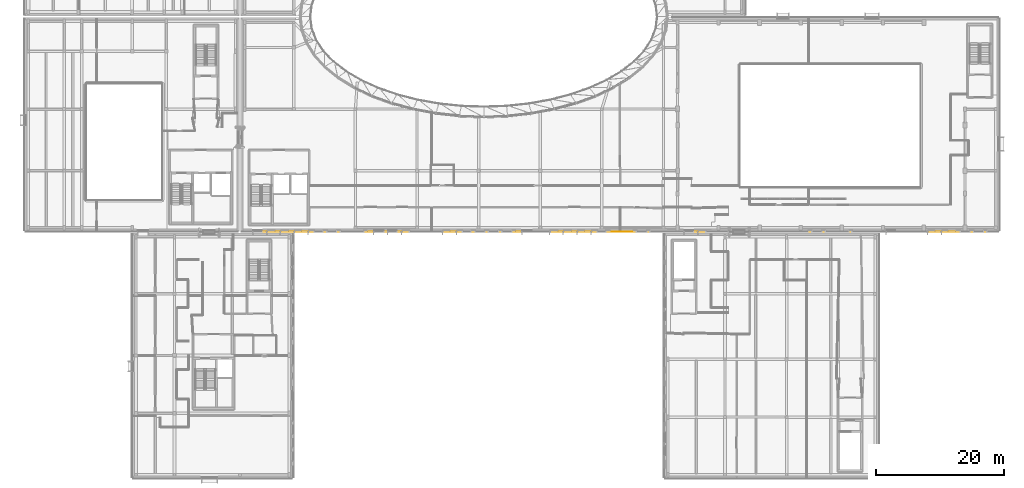
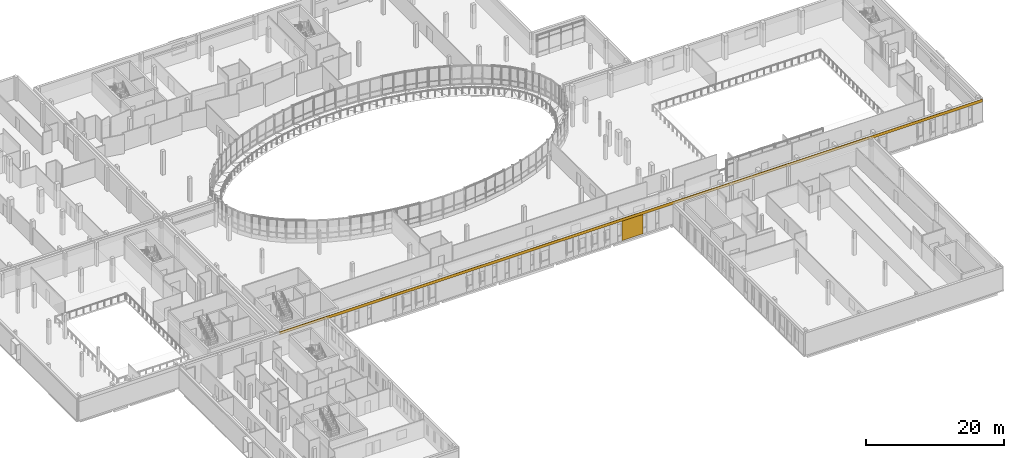
# One storey, part 70 of 84: 2 coverings.
"""IFC4 building model written with IfcOpenShell, lengths in metres."""

from ifc_helpers import new_model, si_unit, direction, frame, origin, origin_2d, place, context, subcontext, project, spatial, rectangle, extrude, material, layer, layer_set, type_object, element, save


model = new_model("IFC4")

# Units and contexts
model_context = context("Model", 3, precision=1e-05, world=origin(), true_north=direction((0.0, 1.0)))
body_context = subcontext(model_context, "Body", "Model", "MODEL_VIEW")
ifc_project = project(units=[si_unit("LENGTHUNIT", "METRE"), si_unit("AREAUNIT", "SQUARE_METRE"), si_unit("VOLUMEUNIT", "CUBIC_METRE"), si_unit("PLANEANGLEUNIT", "RADIAN"), si_unit("MASSUNIT", "GRAM", prefix="KILO")], contexts=[model_context])

# Site, building, storey
site_placement = place(None, origin())
site = spatial("IfcSite", under=ifc_project, at=site_placement, CompositionType="ELEMENT")
building_placement = place(site_placement, origin())
building = spatial("IfcBuilding", under=site, at=building_placement, Name="Mzevani Central Library", CompositionType="ELEMENT")
storey_placement = place(building_placement, frame((0.0, 0.0, 5.39990234375)))
storey = spatial("IfcBuildingStorey", under=building, at=storey_placement, Name="L01", CompositionType="ELEMENT", Elevation=5.39990234375)

# Coverings
ifc_material = material(Name="Limestone ashlar cladding", Category="masonry")
ifc_layer = layer(ifc_material, 0.050048828125, Name="Limestone Ashlar Spandrel Cladding")
ifc_layer_set = layer_set([ifc_layer], Name="Limestone ashlar cladding")
covering_type = type_object("IfcCoveringType", Name="Limestone Ashlar Spandrel Cladding", PredefinedType="CLADDING", material=ifc_layer_set)
covering_1_placement = place(storey_placement, frame((105.25, 42.47607421875, 3.4501953125), z_axis=(0.0, 0.0, 1.0), x_axis=(-1.0, 0.0, 0.0)))
element("IfcCovering", 1, at=covering_1_placement, inside=storey, type_object=covering_type, Name="L01 Warm-White Facade Spandrel (EW4-V1-L01-0006)", PredefinedType="CLADDING", context=body_context, shape_type="SweptSolid", body=[
    extrude(rectangle(XDim=117.8798828125, YDim=0.050048828125, at=origin_2d()), origin(), (0.0, 0.0, 1.0), 0.489990234375),
])
covering_2_placement = place(storey_placement, frame((105.485107421875, 42.47607421875, 0.0), z_axis=(0.0, 0.0, 1.0), x_axis=(-1.0, 0.0, 0.0)))
element("IfcCovering", 2, at=covering_2_placement, inside=storey, type_object=covering_type, Name="L01 Warm-White Facade Pier 28 (EW4-V1-L01-0006)", PredefinedType="CLADDING", context=body_context, shape_type="SweptSolid", body=[
    extrude(rectangle(XDim=3.510009765625, YDim=0.050048828125, at=origin_2d()), origin(), (0.0, 0.0, 1.0), 3.449951171875),
])

save(model, "model.ifc")
